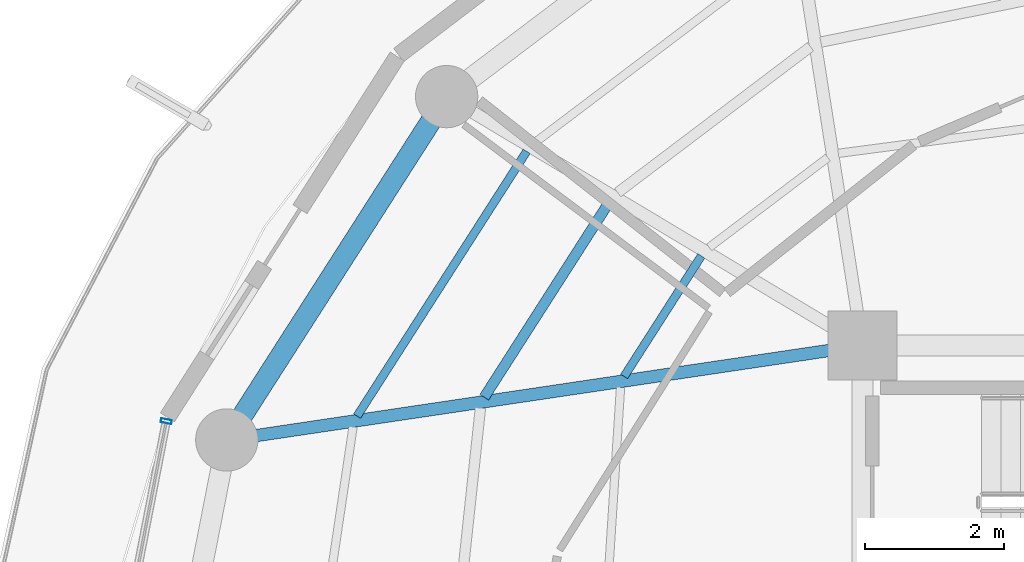
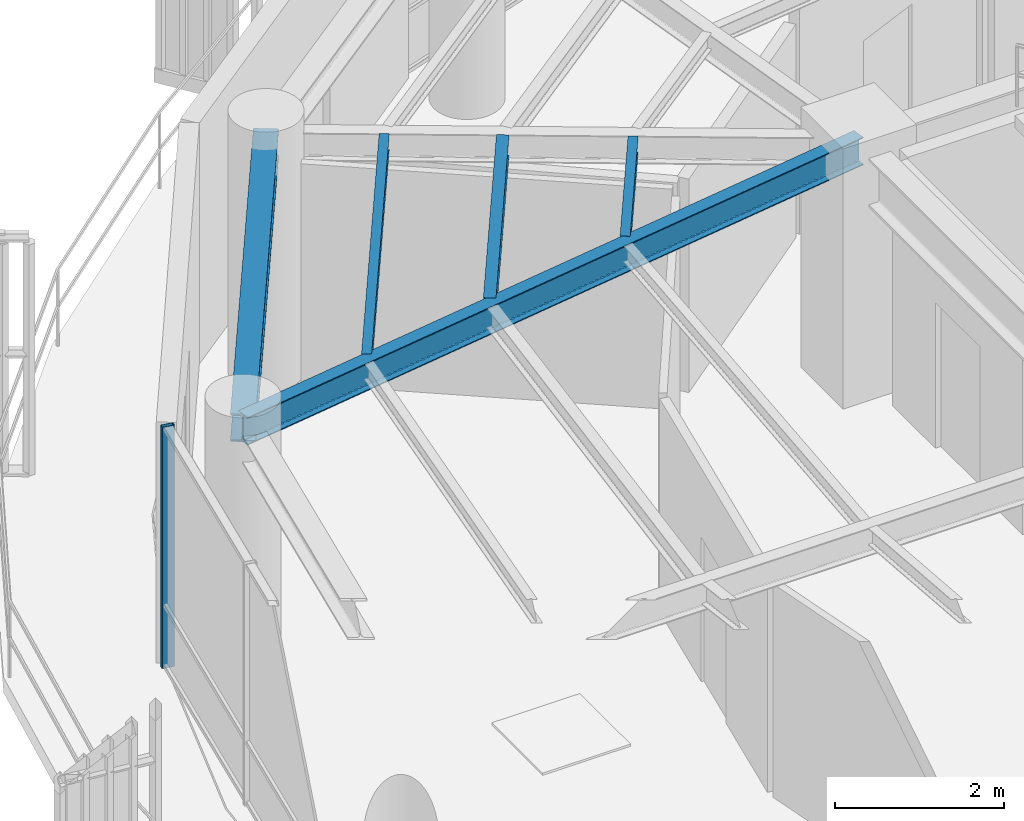
# One storey, part 7 of 22: 5 beams, 1 member, 1 element without a shape of its own.
"""IFC4 building model written with IfcOpenShell, lengths in metres."""

from ifc_helpers import new_model, si_unit, direction, frame, origin, origin_2d, place, context, subcontext, project, spatial, hollow_rectangle, i_section, extrude, material, layer, layer_set, material_profile, profile_set, type_object, element, aggregate, save


model = new_model("IFC4")

# Units and contexts
model_context = context("Model", 3, precision=1e-05, world=origin(), true_north=direction((0.0, 1.0)))
body_context = subcontext(model_context, "Body", "Model", "MODEL_VIEW")
ifc_project = project(units=[si_unit("LENGTHUNIT", "METRE"), si_unit("AREAUNIT", "SQUARE_METRE"), si_unit("VOLUMEUNIT", "CUBIC_METRE"), si_unit("PLANEANGLEUNIT", "RADIAN"), si_unit("MASSUNIT", "GRAM", prefix="KILO")], contexts=[model_context])

# Site, building, storey
site_placement = place(None, origin())
site = spatial("IfcSite", under=ifc_project, at=site_placement, CompositionType="ELEMENT")
building_placement = place(site_placement, origin())
building = spatial("IfcBuilding", under=site, at=building_placement, Name="Kelanora Arch Commons", CompositionType="ELEMENT")
storey_placement = place(building_placement, frame((0.0, 0.0, 274.949951171875)))
storey = spatial("IfcBuildingStorey", under=building, at=storey_placement, Name="L70", CompositionType="ELEMENT", Elevation=274.949951171875)

# Beams
ifc_material_1 = material(Name="Steel S355", Category="steel")
ifc_material_profile_1 = material_profile(ifc_material_1, i_section(OverallWidth=0.14990234375, OverallDepth=0.300048828125, WebThickness=0.007080078125, FlangeThickness=0.0107421875, FilletRadius=0.014892578125, at=origin_2d()), Name="IPE300")
ifc_profile_set_1 = profile_set([ifc_material_profile_1], Name="Steel S355")
beam_type_1 = type_object("IfcBeamType", Name="BM-JST-01", PredefinedType="JOIST", material=ifc_profile_set_1)
beam_1_placement = place(storey_placement, frame((62.352294921875, 67.084228515625, 3.340087890625), z_axis=(-0.539321586177, -0.842099891155, 0.0), x_axis=(0.842099891155, -0.539321586177, 0.0)))
element("IfcBeam", 1, at=beam_1_placement, inside=storey, type_object=beam_type_1, Name="Secondary Chord Joist BJB-14 L70", PredefinedType="JOIST", context=body_context, shape_type="SweptSolid", body=[
    extrude(i_section(OverallWidth=0.14990234375, OverallDepth=0.300048828125, WebThickness=0.007080078125, FlangeThickness=0.0107421875, FilletRadius=0.014892578125, at=origin_2d()), origin(), (0.0, 0.0, 1.0), 3.361572265625),
])
ifc_material_profile_2 = material_profile(ifc_material_1, i_section(OverallWidth=0.1201171875, OverallDepth=0.239990234375, WebThickness=0.006103515625, FlangeThickness=0.009765625, FilletRadius=0.014892578125, at=origin_2d()), Name="IPE240")
ifc_profile_set_2 = profile_set([ifc_material_profile_2], Name="Steel S355")
beam_type_2 = type_object("IfcBeamType", Name="BM-JST-02", PredefinedType="JOIST", material=ifc_profile_set_2)
beam_2_placement = place(storey_placement, frame((63.6728515625, 66.293701171875, 3.3701171875), z_axis=(-0.539311810315, -0.842106152011, 0.0), x_axis=(0.842106152011, -0.539311810315, 0.0)))
element("IfcBeam", 2, at=beam_2_placement, inside=storey, type_object=beam_type_2, Name="Secondary Chord Joist BJA-14 L70", PredefinedType="JOIST", context=body_context, shape_type="SweptSolid", body=[
    extrude(i_section(OverallWidth=0.1201171875, OverallDepth=0.239990234375, WebThickness=0.006103515625, FlangeThickness=0.009765625, FilletRadius=0.014892578125, at=origin_2d()), origin(), (0.0, 0.0, 1.0), 2.06640625),
])
beam_3_placement = place(storey_placement, frame((61.151611328125, 67.802978515625, 3.3701171875), z_axis=(-0.539288735289, -0.842120929552, 0.0), x_axis=(0.842120929552, -0.539288735289, 0.0)))
element("IfcBeam", 3, at=beam_3_placement, inside=storey, type_object=beam_type_2, Name="Secondary Chord Joist BJC-14 L70", PredefinedType="JOIST", context=body_context, shape_type="SweptSolid", body=[
    extrude(i_section(OverallWidth=0.1201171875, OverallDepth=0.239990234375, WebThickness=0.006103515625, FlangeThickness=0.009765625, FilletRadius=0.014892578125, at=origin_2d()), origin(), (0.0, 0.0, 1.0), 4.538818359375),
])
ifc_material_profile_3 = material_profile(ifc_material_1, i_section(OverallWidth=0.179931640625, OverallDepth=0.39990234375, WebThickness=0.008544921875, FlangeThickness=0.013427734375, FilletRadius=0.02099609375, at=origin_2d()), Name="IPE400")
ifc_profile_set_3 = profile_set([ifc_material_profile_3], Name="Steel S355")
beam_type_3 = type_object("IfcBeamType", Name="BM-RAD-Z5", PredefinedType="BEAM", material=ifc_profile_set_3)
beam_4_placement = place(storey_placement, frame((66.0, 65.0, 3.2900390625), z_axis=(-0.989142485564, -0.146959665395, 0.0), x_axis=(0.146959665395, -0.989142485564, 0.0)))
element("IfcBeam", 4, at=beam_4_placement, inside=storey, type_object=beam_type_3, Name="Radial Floor Girder BR-16 L70", PredefinedType="BEAM", context=body_context, shape_type="SweptSolid", body=[
    extrude(i_section(OverallWidth=0.179931640625, OverallDepth=0.39990234375, WebThickness=0.008544921875, FlangeThickness=0.013427734375, FilletRadius=0.02099609375, at=origin_2d()), origin(), (0.0, 0.0, 1.0), 9.2783203125),
])
ifc_material_profile_4 = material_profile(ifc_material_1, i_section(OverallWidth=0.300048828125, OverallDepth=0.39990234375, WebThickness=0.013427734375, FlangeThickness=0.02392578125, FilletRadius=0.027099609375, at=origin_2d()), Name="HEB400")
ifc_profile_set_4 = profile_set([ifc_material_profile_4], Name="Steel S355")
beam_type_4 = type_object("IfcBeamType", Name="BM-SPN-Z4", PredefinedType="SPANDREL", material=ifc_profile_set_4)
beam_5_placement = place(storey_placement, frame((59.99658203125, 68.593017578125, 3.2900390625), z_axis=(-0.539280851353, -0.842125978322, 0.0), x_axis=(0.842125978322, -0.539280851353, 0.0)))
element("IfcBeam", 5, at=beam_5_placement, inside=storey, type_object=beam_type_4, Name="Perimeter Spandrel Beam BS-14 L70", PredefinedType="SPANDREL", context=body_context, shape_type="SweptSolid", body=[
    extrude(i_section(OverallWidth=0.300048828125, OverallDepth=0.39990234375, WebThickness=0.013427734375, FlangeThickness=0.02392578125, FilletRadius=0.027099609375, at=origin_2d()), origin(), (0.0, 0.0, 1.0), 5.8857421875),
])

# Curtain wall, member
ifc_material_2 = material(Name="Terracotta ceramic-fritted low-E glass and aluminium", Category="masonry")
ifc_layer = layer(ifc_material_2, 0.18994140625)
ifc_layer_set = layer_set([ifc_layer], Name="Terracotta ceramic-fritted low-E glass and aluminium")
curtain_wall_type = type_object("IfcCurtainWallType", Name="CW-SYS-03", PredefinedType="NOTDEFINED", material=ifc_layer_set)
curtain_wall_placement = place(storey_placement, origin())
curtain_wall = element("IfcCurtainWall", 6, at=curtain_wall_placement, inside=storey, type_object=curtain_wall_type, Name="Unitised Curtain Wall L70-B08", PredefinedType="NOTDEFINED")
ifc_material_3 = material(Name="Powder-coated aluminium terracotta", Category="masonry")
ifc_material_profile_5 = material_profile(ifc_material_3, hollow_rectangle(XDim=0.159912109375, YDim=0.06005859375, WallThickness=0.0048828125, InnerFilletRadius=0.0048828125, OuterFilletRadius=0.010009765625, at=origin_2d()), Name="CWM160x60")
ifc_profile_set_5 = profile_set([ifc_material_profile_5], Name="Powder-coated aluminium terracotta")
member_type = type_object("IfcMemberType", Name="CWM-STD", PredefinedType="MULLION", material=ifc_profile_set_5)
member_placement = place(storey_placement, frame((55.94921875, 63.906982421875, 0.0), z_axis=(0.0, 0.0, 1.0), x_axis=(0.981595542501, -0.190971701941, 0.0)))
member = element("IfcMember", 7, at=member_placement, type_object=member_type, Name="CW-03 mullion 1", PredefinedType="MULLION", context=body_context, shape_type="SweptSolid", body=[
    extrude(hollow_rectangle(XDim=0.159912109375, YDim=0.06005859375, WallThickness=0.0048828125, InnerFilletRadius=0.0048828125, OuterFilletRadius=0.010009765625, at=origin_2d()), origin(), (0.0, 0.0, 1.0), 3.47509765625),
])
aggregate(curtain_wall, [member])

save(model, "model.ifc")
